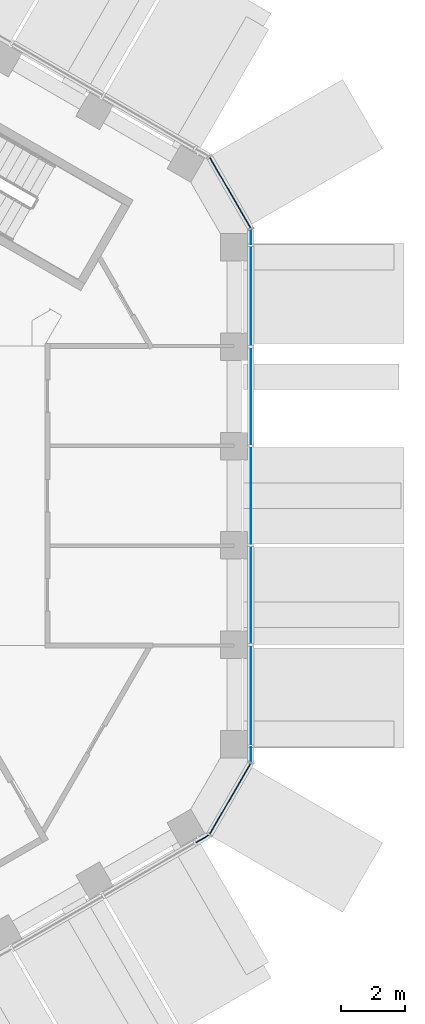
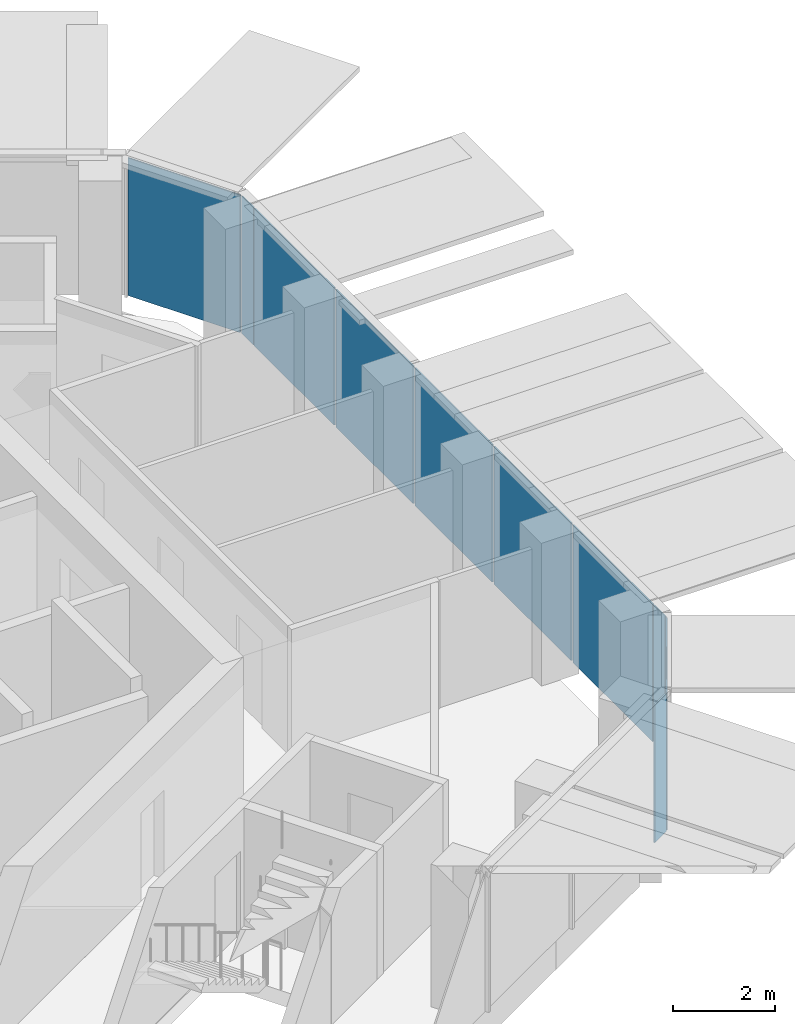
# One storey, part 10 of 17: 10 plates, 3 elements without a shape of their own.
"""IFC4 building model written with IfcOpenShell, lengths in metres."""

from ifc_helpers import new_model, si_unit, direction, frame, origin, origin_2d, place, context, subcontext, project, spatial, rectangle, extrude, material, layer, layer_set, type_object, element, aggregate, save


model = new_model("IFC4")

# Units and contexts
model_context = context("Model", 3, precision=1e-05, world=origin(), true_north=direction((0.0, 1.0)))
body_context = subcontext(model_context, "Body", "Model", "MODEL_VIEW")
ifc_project = project(units=[si_unit("LENGTHUNIT", "METRE"), si_unit("AREAUNIT", "SQUARE_METRE"), si_unit("VOLUMEUNIT", "CUBIC_METRE"), si_unit("PLANEANGLEUNIT", "RADIAN"), si_unit("MASSUNIT", "GRAM", prefix="KILO")], contexts=[model_context])

# Site, building, storey
site_placement = place(None, origin())
site = spatial("IfcSite", under=ifc_project, at=site_placement, CompositionType="ELEMENT")
building_placement = place(site_placement, origin())
building = spatial("IfcBuilding", under=site, at=building_placement, Name="Ayvan Gate Tower", CompositionType="ELEMENT")
storey_placement = place(building_placement, frame((0.0, 0.0, 232.5)))
storey = spatial("IfcBuildingStorey", under=building, at=storey_placement, Name="L62", CompositionType="ELEMENT", Elevation=232.5)

# Curtain wall, plates
ifc_material_1 = material(Name="Bronze anodised aluminium", Category="aluminium")
ifc_layer_1 = layer(ifc_material_1, 0.199951171875)
ifc_layer_set_1 = layer_set([ifc_layer_1], Name="Bronze anodised aluminium")
curtain_wall_type_1 = type_object("IfcCurtainWallType", Name="Stick curtain wall CW-2", PredefinedType="NOTDEFINED", material=ifc_layer_set_1)
curtain_wall_1_placement = place(storey_placement, origin())
curtain_wall_1 = element("IfcCurtainWall", 1, at=curtain_wall_1_placement, inside=storey, type_object=curtain_wall_type_1, Name="Stick curtain wall CW-2 L62", PredefinedType="NOTDEFINED")
ifc_material_2 = material(Name="Clear low-iron laminated glass", Category="glass")
ifc_layer_2 = layer(ifc_material_2, 0.028076171875)
ifc_layer_set_2 = layer_set([ifc_layer_2], Name="Clear low-iron laminated glass")
plate_type_1 = type_object("IfcPlateType", Name="Stick curtain wall CW-2 glass panel", PredefinedType="CURTAIN_PANEL", material=ifc_layer_set_2)
plate_1_placement = place(storey_placement, frame((17.41259765625, -6.219482421875, 0.0), z_axis=(0.0, 0.0, 1.0), x_axis=(0.0, 1.0, 0.0)))
plate_1 = element("IfcPlate", 2, at=plate_1_placement, type_object=plate_type_1, Name="CW-2 glass panel 1", PredefinedType="CURTAIN_PANEL", context=body_context, shape_type="SweptSolid", body=[
    extrude(rectangle(XDim=3.116943359375, YDim=0.028076171875, at=origin_2d()), origin(), (0.0, 0.0, 1.0), 3.280029296875),
])
plate_2_placement = place(storey_placement, frame((17.41259765625, -3.083984375, 0.0), z_axis=(0.0, 0.0, 1.0), x_axis=(0.0, 1.0, 0.0)))
plate_2 = element("IfcPlate", 3, at=plate_2_placement, type_object=plate_type_1, Name="CW-2 glass panel 2", PredefinedType="CURTAIN_PANEL", context=body_context, shape_type="SweptSolid", body=[
    extrude(rectangle(XDim=3.013916015625, YDim=0.028076171875, at=origin_2d()), origin(), (0.0, 0.0, 1.0), 3.280029296875),
])
plate_3_placement = place(storey_placement, frame((17.41259765625, 0.0, 0.0), z_axis=(0.0, 0.0, 1.0), x_axis=(0.0, 1.0, 0.0)))
plate_3 = element("IfcPlate", 4, at=plate_3_placement, type_object=plate_type_1, Name="CW-2 glass panel 3", PredefinedType="CURTAIN_PANEL", context=body_context, shape_type="SweptSolid", body=[
    extrude(rectangle(XDim=3.013916015625, YDim=0.028076171875, at=origin_2d()), origin(), (0.0, 0.0, 1.0), 3.280029296875),
])
plate_4_placement = place(storey_placement, frame((17.41259765625, 3.083984375, 0.0), z_axis=(0.0, 0.0, 1.0), x_axis=(0.0, 1.0, 0.0)))
plate_4 = element("IfcPlate", 5, at=plate_4_placement, type_object=plate_type_1, Name="CW-2 glass panel 4", PredefinedType="CURTAIN_PANEL", context=body_context, shape_type="SweptSolid", body=[
    extrude(rectangle(XDim=3.013916015625, YDim=0.028076171875, at=origin_2d()), origin(), (0.0, 0.0, 1.0), 3.280029296875),
])
plate_5_placement = place(storey_placement, frame((17.41259765625, 6.219482421875, 0.0), z_axis=(0.0, 0.0, 1.0), x_axis=(0.0, 1.0, 0.0)))
plate_5 = element("IfcPlate", 6, at=plate_5_placement, type_object=plate_type_1, Name="CW-2 glass panel 5", PredefinedType="CURTAIN_PANEL", context=body_context, shape_type="SweptSolid", body=[
    extrude(rectangle(XDim=3.116943359375, YDim=0.028076171875, at=origin_2d()), origin(), (0.0, 0.0, 1.0), 3.280029296875),
])
aggregate(curtain_wall_1, [plate_1, plate_2, plate_3, plate_4, plate_5])

ifc_layer_3 = layer(ifc_material_1, 0.199951171875)
ifc_layer_set_3 = layer_set([ifc_layer_3], Name="Bronze anodised aluminium")
curtain_wall_type_2 = type_object("IfcCurtainWallType", Name="Stick curtain wall CW-6", PredefinedType="NOTDEFINED", material=ifc_layer_set_3)
curtain_wall_2_placement = place(storey_placement, origin())
curtain_wall_2 = element("IfcCurtainWall", 7, at=curtain_wall_2_placement, inside=storey, type_object=curtain_wall_type_2, Name="Stick curtain wall CW-6 L62", PredefinedType="NOTDEFINED")
ifc_layer_4 = layer(ifc_material_2, 0.028076171875)
ifc_layer_set_4 = layer_set([ifc_layer_4], Name="Clear low-iron laminated glass")
plate_type_2 = type_object("IfcPlateType", Name="Stick curtain wall CW-6 glass panel", PredefinedType="CURTAIN_PANEL", material=ifc_layer_set_4)
plate_6_placement = place(storey_placement, frame((15.90478515625, -10.6494140625, 0.0), z_axis=(0.0, 0.0, 1.0), x_axis=(0.866025403784, 0.5, 0.0)))
plate_6 = element("IfcPlate", 8, at=plate_6_placement, type_object=plate_type_2, Name="CW-6 glass panel 1", PredefinedType="CURTAIN_PANEL", context=body_context, shape_type="SweptSolid", body=[
    extrude(rectangle(XDim=0.449951171875, YDim=0.028076171875, at=origin_2d()), origin(), (0.0, 0.0, 1.0), 3.280029296875),
])
plate_7_placement = place(storey_placement, frame((16.766845703125, -9.40625, 0.0), z_axis=(0.0, 0.0, 1.0), x_axis=(0.5, 0.866025403784, 0.0)))
plate_7 = element("IfcPlate", 9, at=plate_7_placement, type_object=plate_type_2, Name="CW-6 glass panel 2", PredefinedType="CURTAIN_PANEL", context=body_context, shape_type="SweptSolid", body=[
    extrude(rectangle(XDim=2.532470703125, YDim=0.028076171875, at=origin_2d()), origin(), (0.0, 0.0, 1.0), 3.280029296875),
])
plate_8_placement = place(storey_placement, frame((17.41259765625, -8.037841796875, 0.0), z_axis=(0.0, 0.0, 1.0), x_axis=(0.0, 1.0, 0.0)))
plate_8 = element("IfcPlate", 10, at=plate_8_placement, type_object=plate_type_2, Name="CW-6 glass panel 3", PredefinedType="CURTAIN_PANEL", context=body_context, shape_type="SweptSolid", body=[
    extrude(rectangle(XDim=0.449951171875, YDim=0.028076171875, at=origin_2d()), origin(), (0.0, 0.0, 1.0), 3.280029296875),
])
aggregate(curtain_wall_2, [plate_6, plate_7, plate_8])

curtain_wall_3_placement = place(storey_placement, origin())
curtain_wall_3 = element("IfcCurtainWall", 11, at=curtain_wall_3_placement, inside=storey, type_object=curtain_wall_type_2, Name="Stick curtain wall CW-6 L62", PredefinedType="NOTDEFINED")
plate_9_placement = place(storey_placement, frame((17.41259765625, 8.037841796875, 0.0), z_axis=(0.0, 0.0, 1.0), x_axis=(0.0, 1.0, 0.0)))
plate_9 = element("IfcPlate", 12, at=plate_9_placement, type_object=plate_type_2, Name="CW-6 glass panel 1", PredefinedType="CURTAIN_PANEL", context=body_context, shape_type="SweptSolid", body=[
    extrude(rectangle(XDim=0.449951171875, YDim=0.028076171875, at=origin_2d()), origin(), (0.0, 0.0, 1.0), 3.280029296875),
])
plate_10_placement = place(storey_placement, frame((16.766845703125, 9.40625, 0.0), z_axis=(0.0, 0.0, 1.0), x_axis=(-0.5, 0.866025403784, 0.0)))
plate_10 = element("IfcPlate", 13, at=plate_10_placement, type_object=plate_type_2, Name="CW-6 glass panel 2", PredefinedType="CURTAIN_PANEL", context=body_context, shape_type="SweptSolid", body=[
    extrude(rectangle(XDim=2.532470703125, YDim=0.028076171875, at=origin_2d()), origin(), (0.0, 0.0, 1.0), 3.280029296875),
])
aggregate(curtain_wall_3, [plate_9, plate_10])

save(model, "model.ifc")
